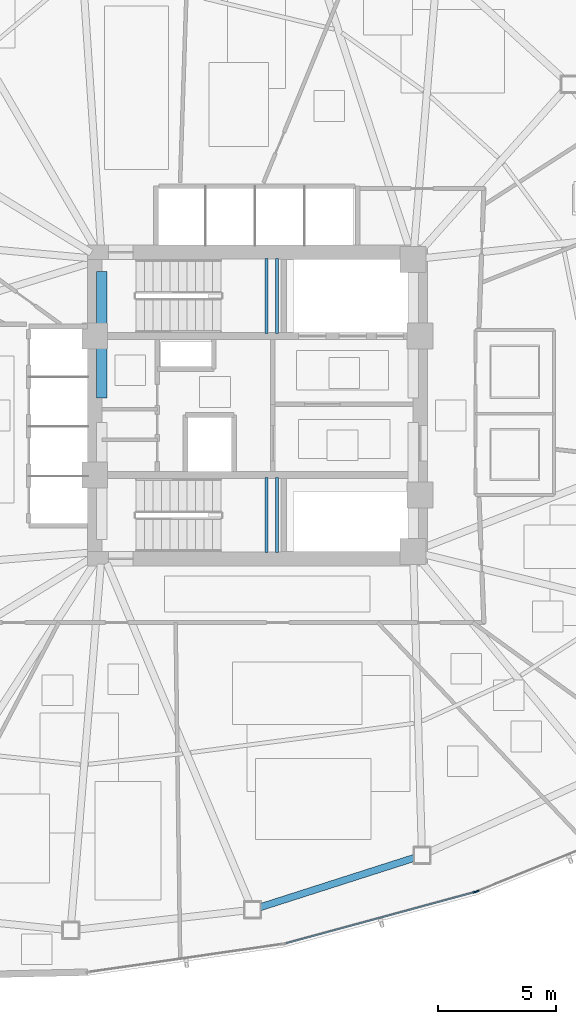
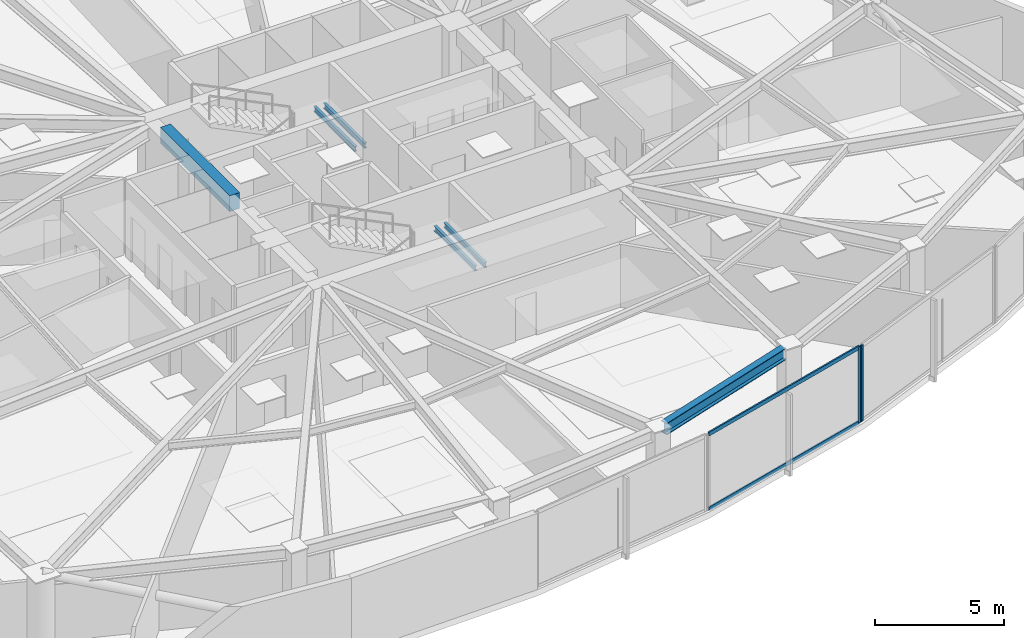
# One storey, part 5 of 17: 6 beams, 4 members, 2 elements without a shape of their own.
"""IFC4 building model written with IfcOpenShell, lengths in metres."""

import ifcopenshell
import ifcopenshell.guid

model = None  # the IFC model being written
_history = None  # IfcOwnerHistory: only IFC2X3 demands one
_inside = {}  # id of a spatial element -> (the spatial element, [elements in it])
_under = {}  # id of a project, library or spatial element -> (it, [spatial elements below it])
_declared = {}  # id of a project -> (the project, [libraries it declares])
_typed = {}  # id of a type object -> (the type object, [elements of that type])
_made_of = {}  # id of a material, layer set ... -> (it, [elements and type objects made of it])


def new_model(schema):
    """Start an empty IFC model of exactly this schema.

    Asked for "IFC4X3", IfcOpenShell would pick the latest addendum, in which some entities
    have other attributes; the version numbers below select the first issue.
    IFC2X3 requires an IfcOwnerHistory on every rooted entity: one is made here for all.
    """
    global model, _history
    if schema == "IFC4X3":
        model = ifcopenshell.file(schema_version=(4, 3, 0, 0))
    else:
        model = ifcopenshell.file(schema=schema)
    _inside.clear()
    _under.clear()
    _declared.clear()
    _typed.clear()
    _made_of.clear()
    _history = None
    if model.schema == "IFC2X3":
        org = make("IfcOrganization", Name="unknown")
        user = make(
            "IfcPersonAndOrganization",
            ThePerson=make("IfcPerson", FamilyName="unknown"),
            TheOrganization=org,
        )
        app = make(
            "IfcApplication",
            ApplicationDeveloper=org,
            Version="unknown",
            ApplicationFullName="unknown",
            ApplicationIdentifier="unknown",
        )
        _history = make(
            "IfcOwnerHistory",
            OwningUser=user,
            OwningApplication=app,
            ChangeAction="ADDED",
            CreationDate=0,
        )
    return model


def make(cls, **values):
    """One entity of the class cls with the attributes given. An attribute that is None is left unset."""
    return model.create_entity(
        cls, **{name: value for name, value in values.items() if value is not None}
    )


def rooted(cls, **values):
    """An entity with a GlobalId (a new one), such as an element, a storey or a relation."""
    return make(cls, GlobalId=ifcopenshell.guid.new(), OwnerHistory=_history, **values)


def si_unit(unit_type, name, prefix=None):
    """IfcSIUnit, for example si_unit("LENGTHUNIT", "METRE", prefix="MILLI")."""
    return make("IfcSIUnit", UnitType=unit_type, Prefix=prefix, Name=name)


def assignment(units):
    """IfcUnitAssignment: the units of a project."""
    return None if units is None else make("IfcUnitAssignment", Units=units)


def point(xyz):
    """IfcCartesianPoint."""
    return None if xyz is None else make("IfcCartesianPoint", Coordinates=xyz)


def direction(xyz):
    """IfcDirection."""
    return None if xyz is None else make("IfcDirection", DirectionRatios=xyz)


def frame(location, z_axis=None, x_axis=None):
    """IfcAxis2Placement3D, a coordinate frame: its origin and axes. An axis left out is left unset."""
    return make(
        "IfcAxis2Placement3D",
        Location=point(location),
        Axis=direction(z_axis),
        RefDirection=direction(x_axis),
    )


def frame_2d(location, x_axis=None):
    """IfcAxis2Placement2D, a coordinate frame in the plane: its origin and x axis."""
    return make(
        "IfcAxis2Placement2D", Location=point(location), RefDirection=direction(x_axis)
    )


def origin():
    """The frame at (0, 0, 0) with its axes left unset."""
    return frame((0.0, 0.0, 0.0))


def origin_2d():
    """The frame at (0, 0) in the plane with its x axis left unset."""
    return frame_2d((0.0, 0.0))


def place(relative_to, where):
    """IfcLocalPlacement: puts the frame where relative to a parent placement (None: the world)."""
    return make(
        "IfcLocalPlacement", PlacementRelTo=relative_to, RelativePlacement=where
    )


def context(
    kind, dimensions, precision=None, world=None, true_north=None, identifier=None
):
    """IfcGeometricRepresentationContext, for example the 3D "Model" context."""
    return make(
        "IfcGeometricRepresentationContext",
        ContextIdentifier=identifier,
        ContextType=kind,
        CoordinateSpaceDimension=dimensions,
        Precision=precision,
        WorldCoordinateSystem=world,
        TrueNorth=true_north,
    )


def subcontext(parent, identifier, kind, view, scale=None):
    """IfcGeometricRepresentationSubContext, for example "Body" below "Model"."""
    return make(
        "IfcGeometricRepresentationSubContext",
        ContextIdentifier=identifier,
        ContextType=kind,
        ParentContext=parent,
        TargetScale=scale,
        TargetView=view,
    )


def project(units=None, contexts=None):
    """IfcProject with its units and contexts."""
    return rooted(
        "IfcProject",
        Name="project",
        RepresentationContexts=contexts,
        UnitsInContext=assignment(units),
    )


def spatial(cls, under=None, at=None, **own):
    """A site, building, storey or space (cls), placed at a placement, below another one or the project."""
    s = rooted(cls, ObjectPlacement=at, **own)
    if under is not None:
        _under.setdefault(under.id(), (under, []))[1].append(s)
    return s


def profile(cls, at=None, kind="AREA", **sizes):
    """A parametric profile (cls). Its sizes go by their IFC names, for example OverallWidth=200.0."""
    return make(cls, ProfileType=kind, Position=at, **sizes)


def rectangle(**sizes):
    """IfcRectangleProfileDef."""
    return profile("IfcRectangleProfileDef", **sizes)


def hollow_rectangle(**sizes):
    """IfcRectangleHollowProfileDef."""
    return profile("IfcRectangleHollowProfileDef", **sizes)


def i_section(**sizes):
    """IfcIShapeProfileDef."""
    return profile("IfcIShapeProfileDef", **sizes)


def extrude(swept, where, along, depth):
    """IfcExtrudedAreaSolid: the profile swept, set in the frame where, extruded along a direction by depth."""
    return make(
        "IfcExtrudedAreaSolid",
        SweptArea=swept,
        Position=where,
        ExtrudedDirection=direction(along),
        Depth=depth,
    )


def shape(context_of_items, identifier, shape_type, items):
    """IfcShapeRepresentation: the items that make up one representation, for example the "Body"."""
    return make(
        "IfcShapeRepresentation",
        ContextOfItems=context_of_items,
        RepresentationIdentifier=identifier,
        RepresentationType=shape_type,
        Items=items,
    )


def source(mapping_origin, context_of_items, identifier, shape_type, items):
    """IfcRepresentationMap: a shape defined once, which mapped items show again and again."""
    return make(
        "IfcRepresentationMap",
        MappingOrigin=mapping_origin,
        MappedRepresentation=shape(context_of_items, identifier, shape_type, items),
    )


def transform(
    local_origin,
    x_axis=None,
    y_axis=None,
    z_axis=None,
    scale=None,
    scale2=None,
    scale3=None,
    uniform=True,
):
    """IfcCartesianTransformationOperator3D, or its non-uniform kind. x_axis, y_axis, z_axis: its Axis1, 2, 3."""
    if uniform:
        return make(
            "IfcCartesianTransformationOperator3D",
            Axis1=direction(x_axis),
            Axis2=direction(y_axis),
            LocalOrigin=point(local_origin),
            Scale=scale,
            Axis3=direction(z_axis),
        )
    return make(
        "IfcCartesianTransformationOperator3DnonUniform",
        Axis1=direction(x_axis),
        Axis2=direction(y_axis),
        LocalOrigin=point(local_origin),
        Scale=scale,
        Axis3=direction(z_axis),
        Scale2=scale2,
        Scale3=scale3,
    )


def mapped(mapping_source, mapping_target):
    """IfcMappedItem: shows the shape of a source again, moved by a transform."""
    return make(
        "IfcMappedItem", MappingSource=mapping_source, MappingTarget=mapping_target
    )


def material(Name=None, Category=None):
    """IfcMaterial."""
    return make("IfcMaterial", Name=Name, Category=Category)


def layer(
    of_material, thickness, ventilated=None, Name=None, Category=None, Priority=None
):
    """IfcMaterialLayer: one layer of a wall or slab, of a material (None: an air gap)."""
    return make(
        "IfcMaterialLayer",
        Material=of_material,
        LayerThickness=thickness,
        IsVentilated=ventilated,
        Name=Name,
        Category=Category,
        Priority=Priority,
    )


def layer_set(layers, Name=None):
    """IfcMaterialLayerSet."""
    return make("IfcMaterialLayerSet", MaterialLayers=layers, LayerSetName=Name)


def material_profile(
    of_material, cross_section, Name=None, Category=None, Priority=None
):
    """IfcMaterialProfile: a cross section and its material."""
    return make(
        "IfcMaterialProfile",
        Name=Name,
        Material=of_material,
        Profile=cross_section,
        Priority=Priority,
        Category=Category,
    )


def profile_set(profiles, Name=None, composite=None):
    """IfcMaterialProfileSet."""
    return make(
        "IfcMaterialProfileSet",
        Name=Name,
        MaterialProfiles=profiles,
        CompositeProfile=composite,
    )


def made_of(thing, what):
    """Note that an element or type object is made of a material, layer set ...; save() writes the relation."""
    if what is not None:
        _made_of.setdefault(what.id(), (what, []))[1].append(thing)
    return thing


def type_object(cls, material=None, **own):
    """A type object (cls), such as IfcWallType, which elements share."""
    return made_of(rooted(cls, **own), material)


def type_shapes(of_type, sources):
    """Give a type object the sources (RepresentationMaps) that its elements show as mapped items."""
    of_type.RepresentationMaps = sources


def element(
    cls,
    number,
    at=None,
    inside=None,
    cuts=None,
    type_object=None,
    material=None,
    context=None,
    identifier="Body",
    shape_type=None,
    held_by="IfcProductDefinitionShape",
    body=None,
    shapes=None,
    **own,
):
    """One element of the class cls, such as IfcWall. Its Tag is "e" and its number.

    at: its placement. inside: the storey or other place that contains it. cuts: it is an
    opening in that element (IfcRelVoidsElement). A single representation is given by context,
    identifier, shape_type and body (its items); several are given by shapes. held_by: the class
    of the entity that holds the representations. save() writes the other relations.
    """
    e = rooted(cls, Tag="e%d" % number, ObjectPlacement=at, **own)
    if body is not None:
        shapes = [shape(context, identifier, shape_type, body)]
    if shapes is not None:
        e.Representation = make(held_by, Representations=shapes)
    if inside is not None:
        _inside.setdefault(inside.id(), (inside, []))[1].append(e)
    if cuts is not None:
        rooted(
            "IfcRelVoidsElement", RelatingBuildingElement=cuts, RelatedOpeningElement=e
        )
    if type_object is not None:
        _typed.setdefault(type_object.id(), (type_object, []))[1].append(e)
    return made_of(e, material)


def aggregate(whole, parts):
    """IfcRelAggregates: a whole, such as a stair, and the parts it consists of."""
    return rooted("IfcRelAggregates", RelatingObject=whole, RelatedObjects=parts)


def save(model, path):
    """Write the relations noted so far, then the file.

    IfcRelAggregates (storeys below a building ...), IfcRelContainedInSpatialStructure (elements
    in a storey), IfcRelDefinesByType, IfcRelAssociatesMaterial and IfcRelDeclares: one each for
    every whole, place, type object, material and project.
    """
    for whole, parts in _under.values():
        aggregate(whole, parts)
    for where, things in _inside.values():
        rooted(
            "IfcRelContainedInSpatialStructure",
            RelatedElements=things,
            RelatingStructure=where,
        )
    for kind, things in _typed.values():
        rooted("IfcRelDefinesByType", RelatedObjects=things, RelatingType=kind)
    for what, things in _made_of.values():
        rooted("IfcRelAssociatesMaterial", RelatedObjects=things, RelatingMaterial=what)
    for by, libraries in _declared.values():
        rooted("IfcRelDeclares", RelatingContext=by, RelatedDefinitions=libraries)
    model.write(path)


model = new_model("IFC4")

# Units and contexts
model_context = context("Model", 3, precision=1e-05, world=origin(), true_north=direction((0.0, 1.0)))
body_context = subcontext(model_context, "Body", "Model", "MODEL_VIEW")
ifc_project = project(units=[si_unit("LENGTHUNIT", "METRE"), si_unit("AREAUNIT", "SQUARE_METRE"), si_unit("VOLUMEUNIT", "CUBIC_METRE"), si_unit("PLANEANGLEUNIT", "RADIAN"), si_unit("MASSUNIT", "GRAM", prefix="KILO")], contexts=[model_context])

# Site, building, storey
site_placement = place(None, origin())
site = spatial("IfcSite", under=ifc_project, at=site_placement, CompositionType="ELEMENT")
building_placement = place(site_placement, origin())
building = spatial("IfcBuilding", under=site, at=building_placement, Name="Tavelor Broadcast Tower", CompositionType="ELEMENT")
storey_placement = place(building_placement, frame((0.0, 0.0, 74.39990234375)))
storey = spatial("IfcBuildingStorey", under=building, at=storey_placement, Name="L17", CompositionType="ELEMENT", Elevation=74.39990234375)

# Beams
ifc_material_1 = material(Name="Concrete C40/50", Category="concrete")
ifc_material_profile_1 = material_profile(ifc_material_1, rectangle(XDim=0.449951171875, YDim=0.75, at=origin_2d()), Name="RC 450x750")
ifc_profile_set_1 = profile_set([ifc_material_profile_1], Name="Concrete C40/50")
beam_type_1 = type_object("IfcBeamType", Name="Basement Core Trim Beam 450x750", PredefinedType="BEAM", material=ifc_profile_set_1)
beam_1_placement = place(storey_placement, frame((43.39990234375, 45.327880859375, 3.22509765625), z_axis=(0.0, 1.0, 0.0), x_axis=(-1.0, 0.0, 0.0)))
element("IfcBeam", 1, at=beam_1_placement, inside=storey, type_object=beam_type_1, Name="L17 Core West-N Tie Girder", PredefinedType="BEAM", context=body_context, shape_type="SweptSolid", body=[
    extrude(rectangle(XDim=0.449951171875, YDim=0.75, at=origin_2d()), origin(), (0.0, 0.0, 1.0), 5.34423828125),
])
ifc_material_2 = material(Name="Steel S355", Category="steel")
ifc_material_profile_2 = material_profile(ifc_material_2, i_section(OverallWidth=0.300048828125, OverallDepth=0.550048828125, WebThickness=0.014892578125, FlangeThickness=0.029052734375, at=origin_2d()), Name="HEB 550")
ifc_profile_set_2 = profile_set([ifc_material_profile_2], Name="Steel S355")
beam_type_2 = type_object("IfcBeamType", Name="Perimeter Spandrel Beam T2 HEB 550", PredefinedType="SPANDREL", material=ifc_profile_set_2)
beam_2_placement = place(storey_placement, frame((50.106689453125, 23.720458984375, 3.3251953125), z_axis=(0.952297103541, 0.305172453849, 0.0), x_axis=(-0.305172453849, 0.952297103541, 0.0)))
element("IfcBeam", 2, at=beam_2_placement, inside=storey, type_object=beam_type_2, Name="L17 Framed-Tube Ring Spandrel 10", PredefinedType="SPANDREL", context=body_context, shape_type="SweptSolid", body=[
    extrude(i_section(OverallWidth=0.300048828125, OverallDepth=0.550048828125, WebThickness=0.014892578125, FlangeThickness=0.029052734375, at=origin_2d()), origin(), (0.0, 0.0, 1.0), 6.876953125),
])
ifc_material_profile_3 = material_profile(ifc_material_2, i_section(OverallWidth=0.1201171875, OverallDepth=0.239990234375, WebThickness=0.006103515625, FlangeThickness=0.009765625, at=origin_2d()), Name="IPE 240")
ifc_profile_set_3 = profile_set([ifc_material_profile_3], Name="Steel S355")
beam_type_3 = type_object("IfcBeamType", Name="Stairwell Landing Support Trimmer Beam IPE240", PredefinedType="BEAM", material=ifc_profile_set_3)
for number, where, z_axis, x_axis, name in (
    (3, (50.385009765625, 48.06005859375, 1.635009765625), (0.0, 1.0, 0.0), (-1.0, 0.0, 0.0), "L17 Stair Landing Support Beam 59"),
    (4, (50.824951171875, 48.06005859375, 1.635009765625), (0.0, 1.0, 0.0), (-1.0, 0.0, 0.0), "L17 Stair Landing Support Beam 60"),
    (5, (50.385009765625, 38.760009765625, 1.635009765625), (0.0, 1.0, 0.0), (-1.0, 0.0, 0.0), "L17 Stair Landing Support Beam 273"),
    (6, (50.824951171875, 38.760009765625, 1.635009765625), (0.0, 1.0, 0.0), (-1.0, 0.0, 0.0), "L17 Stair Landing Support Beam 274"),
):
    element("IfcBeam", number, at=place(storey_placement, frame(where, z_axis=z_axis, x_axis=x_axis)), inside=storey, type_object=beam_type_3, Name=name, PredefinedType="BEAM", context=body_context, shape_type="SweptSolid", body=[
        extrude(i_section(OverallWidth=0.1201171875, OverallDepth=0.239990234375, WebThickness=0.006103515625, FlangeThickness=0.009765625, at=origin_2d()), origin(), (0.0, 0.0, 1.0), 3.179931640625),
    ])

# Curtain wall, member
ifc_material_3 = material(Name="Architectural Anodized Aluminium", Category="aluminium")
ifc_layer = layer(ifc_material_3, 0.179931640625)
ifc_layer_set = layer_set([ifc_layer], Name="Architectural Anodized Aluminium")
curtain_wall_type = type_object("IfcCurtainWallType", Name="Tower Low-Zone Unitised Curtain Wall CW02", PredefinedType="NOTDEFINED", material=ifc_layer_set)
curtain_wall_1_placement = place(storey_placement, origin())
curtain_wall_1 = element("IfcCurtainWall", 7, at=curtain_wall_1_placement, inside=storey, type_object=curtain_wall_type, Name="L17 Curtain Wall CW02 Run 162", PredefinedType="NOTDEFINED")
ifc_material_profile_4 = material_profile(ifc_material_3, hollow_rectangle(XDim=0.06494140625, YDim=0.179931640625, WallThickness=0.02197265625, at=origin_2d()), Name="RHS 65x180x22")
ifc_profile_set_4 = profile_set([ifc_material_profile_4], Name="Architectural Anodized Aluminium")
member_type_1 = type_object("IfcMemberType", Name="CW02 Extruded Aluminium Mullion 65x180", PredefinedType="MULLION", material=ifc_profile_set_4)
shared_shape_1 = source(origin(), body_context, "Body", "SweptSolid", [
    extrude(hollow_rectangle(XDim=0.06494140625, YDim=0.179931640625, WallThickness=0.02197265625, at=origin_2d()), origin(), (0.0, 0.0, 1.0), 3.60009765625),
])
type_shapes(member_type_1, [shared_shape_1])
member_1_placement = place(storey_placement, frame((59.21923828125, 24.366455078125, 0.0), z_axis=(0.0, 0.0, 1.0), x_axis=(-0.261769613665, 0.965130389824, 0.0)))
member_1 = element("IfcMember", 8, at=member_1_placement, type_object=member_type_1, Name="CW02 mullion 2", PredefinedType="MULLION", context=body_context, shape_type="MappedRepresentation", body=[
    mapped(shared_shape_1, transform((0.0, 0.0, 0.0), scale=1.0)),
])

curtain_wall_2_placement = place(storey_placement, origin())
curtain_wall_2 = element("IfcCurtainWall", 9, at=curtain_wall_2_placement, inside=storey, type_object=curtain_wall_type, Name="L17 Curtain Wall CW02 Run 163", PredefinedType="NOTDEFINED")
member_2_placement = place(storey_placement, frame((59.30908203125, 24.396728515625, 0.0), z_axis=(0.0, 0.0, 1.0), x_axis=(-0.376644246547, 0.926357982393, 0.0)))
member_2 = element("IfcMember", 10, at=member_2_placement, type_object=member_type_1, Name="CW02 mullion 1", PredefinedType="MULLION", context=body_context, shape_type="MappedRepresentation", body=[
    mapped(shared_shape_1, transform((0.0, 0.0, 0.0), scale=1.0)),
])
aggregate(curtain_wall_2, [member_2])

# Member
ifc_material_profile_5 = material_profile(ifc_material_3, hollow_rectangle(XDim=0.06494140625, YDim=0.179931640625, WallThickness=0.02197265625, at=origin_2d()), Name="RHS 65x180x22")
ifc_profile_set_5 = profile_set([ifc_material_profile_5], Name="Architectural Anodized Aluminium")
member_type_2 = type_object("IfcMemberType", Name="CW02 Extruded Aluminium Transom 65x180", PredefinedType="USERDEFINED", material=ifc_profile_set_5)
shared_shape_2 = source(origin(), body_context, "Body", "SweptSolid", [
    extrude(hollow_rectangle(XDim=0.06494140625, YDim=0.179931640625, WallThickness=0.02197265625, at=origin_2d()), origin(), (0.0, 0.0, 1.0), 8.271484375),
])
type_shapes(member_type_2, [shared_shape_2])
member_3_placement = place(storey_placement, frame((51.204833984375, 22.192626953125, 0.03271484375), z_axis=(0.965129332629, 0.261773511456, 0.0), x_axis=(-0.261773511456, 0.965129332629, 0.0)))
member_3 = element("IfcMember", 11, at=member_3_placement, type_object=member_type_2, Name="CW02 transom 1.1", ObjectType="TRANSOM", PredefinedType="USERDEFINED", context=body_context, shape_type="MappedRepresentation", body=[
    mapped(shared_shape_2, transform((0.0, 0.0, 0.0), scale=1.0)),
])

member_4_placement = place(storey_placement, frame((51.204833984375, 22.192626953125, 3.567626953125), z_axis=(0.965129332629, 0.261773511456, 0.0), x_axis=(-0.261773511456, 0.965129332629, 0.0)))
member_4 = element("IfcMember", 12, at=member_4_placement, type_object=member_type_2, Name="CW02 transom 1.2", ObjectType="TRANSOM", PredefinedType="USERDEFINED", context=body_context, shape_type="MappedRepresentation", body=[
    mapped(shared_shape_2, transform((0.0, 0.0, 0.0), scale=1.0)),
])

aggregate(curtain_wall_1, [member_1, member_3, member_4])

save(model, "model.ifc")
